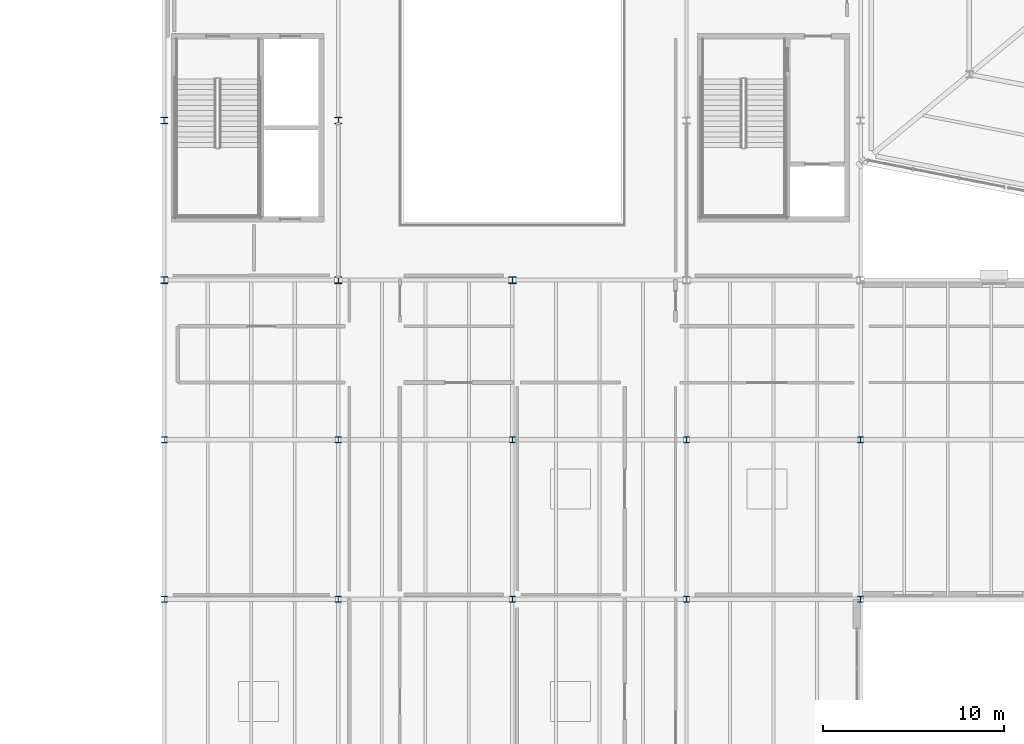
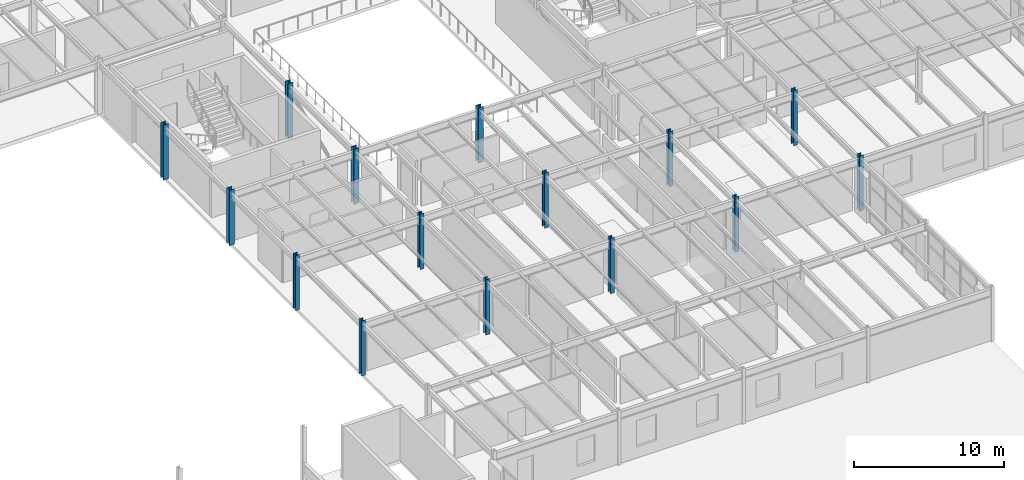
# One storey, part 6 of 77: 15 columns.
"""IFC4 building model written with IfcOpenShell, lengths in metres."""

from ifc_helpers import new_model, si_unit, direction, frame, origin, origin_2d, place, context, subcontext, project, spatial, i_section, extrude, material, material_profile, profile_set, type_object, element, save


model = new_model("IFC4")

# Units and contexts
model_context = context("Model", 3, precision=1e-05, world=origin(), true_north=direction((0.0, 1.0)))
body_context = subcontext(model_context, "Body", "Model", "MODEL_VIEW")
ifc_project = project(units=[si_unit("LENGTHUNIT", "METRE"), si_unit("AREAUNIT", "SQUARE_METRE"), si_unit("VOLUMEUNIT", "CUBIC_METRE"), si_unit("PLANEANGLEUNIT", "RADIAN"), si_unit("MASSUNIT", "GRAM", prefix="KILO")], contexts=[model_context])

# Site, building, storey
site_placement = place(None, origin())
site = spatial("IfcSite", under=ifc_project, at=site_placement, CompositionType="ELEMENT")
building_placement = place(site_placement, origin())
building = spatial("IfcBuilding", under=site, at=building_placement, Name="Sarnbrook Museum", CompositionType="ELEMENT")
storey_placement = place(building_placement, frame((0.0, 0.0, 5.60009765625)))
storey = spatial("IfcBuildingStorey", under=building, at=storey_placement, Name="L01", CompositionType="ELEMENT", Elevation=5.60009765625)

# Columns
ifc_material_1 = material(Name="Structural Steel Grade 300PLUS (AS/NZS 3679.1, fy = 280 MPa for 17 < t <= 40 mm, 300 MPa for t <= 17 mm)", Category="steel")
ifc_material_profile_1 = material_profile(ifc_material_1, i_section(OverallWidth=0.31103515625, OverallDepth=0.326904296875, WebThickness=0.015625, FlangeThickness=0.02490234375, FilletRadius=0.0166015625, at=origin_2d()), Name="310UC158")
ifc_profile_set_1 = profile_set([ifc_material_profile_1], Name="Structural Steel Grade 300PLUS (AS/NZS 3679.1, fy = 280 MPa for 17 < t <= 40 mm, 300 MPa for t <= 17 mm)")
column_type_1 = type_object("IfcColumnType", Name="COL-UC310H", PredefinedType="COLUMN", material=ifc_profile_set_1)
for number, where, z_axis, x_axis, name in (
    (1, (90.39990234375, 39.199951171875, 0.0), (0.0, 0.0, 1.0), (1.0, 0.0, 0.0), "Column 10-E L01"),
    (2, (90.39990234375, 48.0, 0.0), (0.0, 0.0, 1.0), (1.0, 0.0, 0.0), "Column 10-F L01"),
    (3, (100.0, 39.199951171875, 0.0), (0.0, 0.0, 1.0), (1.0, 0.0, 0.0), "Column 11-E L01"),
    (4, (100.0, 48.0, 0.0), (0.0, 0.0, 1.0), (1.0, 0.0, 0.0), "Column 11-F L01"),
    (5, (109.60009765625, 39.199951171875, 0.0), (0.0, 0.0, 1.0), (1.0, 0.0, 0.0), "Column 12-E L01"),
    (6, (109.60009765625, 48.0, 0.0), (0.0, 0.0, 1.0), (1.0, 0.0, 0.0), "Column 12-F L01"),
    (7, (119.199951171875, 39.199951171875, 0.0), (0.0, 0.0, 1.0), (1.0, 0.0, 0.0), "Column 13-E L01"),
    (8, (119.199951171875, 48.0, 0.0), (0.0, 0.0, 1.0), (1.0, 0.0, 0.0), "Column 13-F L01"),
    (9, (80.800048828125, 39.199951171875, 0.0), (0.0, 0.0, 1.0), (1.0, 0.0, 0.0), "Column 9-E L01"),
    (10, (80.800048828125, 48.0, 0.0), (0.0, 0.0, 1.0), (1.0, 0.0, 0.0), "Column 9-F L01"),
):
    element("IfcColumn", number, at=place(storey_placement, frame(where, z_axis=z_axis, x_axis=x_axis)), inside=storey, type_object=column_type_1, Name=name, PredefinedType="COLUMN", context=body_context, shape_type="SweptSolid", body=[
        extrude(i_section(OverallWidth=0.31103515625, OverallDepth=0.326904296875, WebThickness=0.015625, FlangeThickness=0.02490234375, FilletRadius=0.0166015625, at=origin_2d()), origin(), (0.0, 0.0, 1.0), 4.5),
    ])
ifc_material_2 = material(Name="Structural Steel Grade 350L0 (AS/NZS 3678, fy = 340 MPa for 20 < t <= 40 mm)", Category="steel")
ifc_material_profile_2 = material_profile(ifc_material_2, i_section(OverallWidth=0.39990234375, OverallDepth=0.382080078125, WebThickness=0.02490234375, FlangeThickness=0.035888671875, at=origin_2d()), Name="400WC270")
ifc_profile_set_2 = profile_set([ifc_material_profile_2], Name="Structural Steel Grade 350L0 (AS/NZS 3678, fy = 340 MPa for 20 < t <= 40 mm)")
column_type_2 = type_object("IfcColumnType", Name="COL-WC400", PredefinedType="COLUMN", material=ifc_profile_set_2)
for number, where, z_axis, x_axis, name in (
    (11, (90.39990234375, 56.800048828125, 0.0), (0.0, 0.0, 1.0), (1.0, 0.0, 0.0), "Column 10-G L01"),
    (12, (90.39990234375, 65.60009765625, 0.0), (0.0, 0.0, 1.0), (1.0, 0.0, 0.0), "Column 10-H L01"),
    (13, (100.0, 56.800048828125, 0.0), (0.0, 0.0, 1.0), (1.0, 0.0, 0.0), "Column 11-G L01"),
    (14, (80.800048828125, 56.800048828125, 0.0), (0.0, 0.0, 1.0), (1.0, 0.0, 0.0), "Column 9-G L01"),
    (15, (80.800048828125, 65.60009765625, 0.0), (0.0, 0.0, 1.0), (1.0, 0.0, 0.0), "Column 9-H L01"),
):
    element("IfcColumn", number, at=place(storey_placement, frame(where, z_axis=z_axis, x_axis=x_axis)), inside=storey, type_object=column_type_2, Name=name, PredefinedType="COLUMN", context=body_context, shape_type="SweptSolid", body=[
        extrude(i_section(OverallWidth=0.39990234375, OverallDepth=0.382080078125, WebThickness=0.02490234375, FlangeThickness=0.035888671875, at=origin_2d()), origin(), (0.0, 0.0, 1.0), 4.5),
    ])

save(model, "model.ifc")
